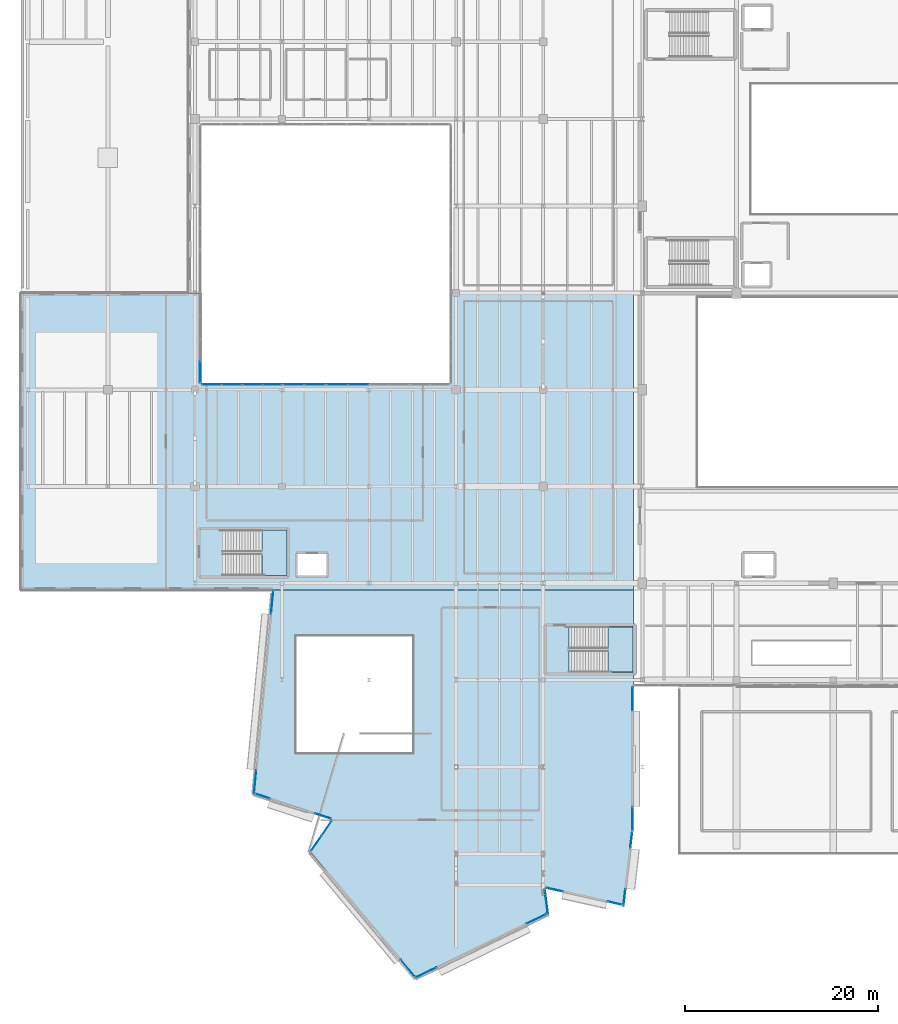
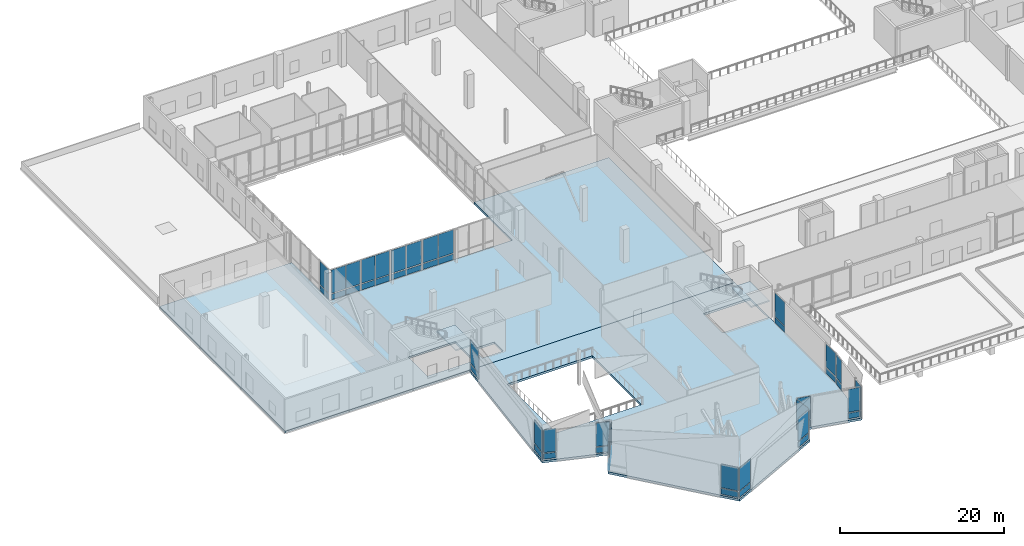
# One storey, part 35 of 60: 50 plates, 4 slabs, 22 elements without a shape of their own.
"""IFC4 building model written with IfcOpenShell, lengths in metres."""

from ifc_helpers import new_model, si_unit, direction, frame, origin, origin_2d, place, context, subcontext, project, spatial, polyline, rectangle, outline, extrude, material, layer, layer_set, type_object, element, aggregate, save


model = new_model("IFC4")

# Units and contexts
model_context = context("Model", 3, precision=1e-05, world=origin(), true_north=direction((0.0, 1.0)))
body_context = subcontext(model_context, "Body", "Model", "MODEL_VIEW")
ifc_project = project(units=[si_unit("LENGTHUNIT", "METRE"), si_unit("AREAUNIT", "SQUARE_METRE"), si_unit("VOLUMEUNIT", "CUBIC_METRE"), si_unit("PLANEANGLEUNIT", "RADIAN"), si_unit("MASSUNIT", "GRAM", prefix="KILO")], contexts=[model_context])

# Site, building, storey
site_placement = place(None, origin())
site = spatial("IfcSite", under=ifc_project, at=site_placement, CompositionType="ELEMENT")
building_placement = place(site_placement, origin())
building = spatial("IfcBuilding", under=site, at=building_placement, Name="Trimount Lyric Opera House", CompositionType="ELEMENT")
storey_placement = place(building_placement, frame((0.0, 0.0, 15.0)))
storey = spatial("IfcBuildingStorey", under=building, at=storey_placement, Name="L03", CompositionType="ELEMENT", Elevation=15.0)

# Curtain wall, plate
ifc_material_1 = material(Name="Thermally Broken Aluminium and Low-E Glass", Category="aluminium")
curtain_wall_type_1 = type_object("IfcCurtainWallType", Name="CW-03", PredefinedType="NOTDEFINED", material=ifc_material_1)
curtain_wall_1_placement = place(storey_placement, origin())
curtain_wall_1 = element("IfcCurtainWall", 1, at=curtain_wall_1_placement, inside=storey, type_object=curtain_wall_type_1, Name="L03 curtain wall 294", PredefinedType="NOTDEFINED")
ifc_material_2 = material(Name="Triple Low-E Acoustic Laminated Glass", Category="glass")
ifc_layer_1 = layer(ifc_material_2, 0.035888671875)
ifc_layer_set_1 = layer_set([ifc_layer_1], Name="CWP-01")
plate_type_1 = type_object("IfcPlateType", Name="CWP-01", PredefinedType="CURTAIN_PANEL", material=ifc_layer_set_1)
plate_1_placement = place(storey_placement, frame((18.5400390625, 75.840087890625, 0.159912109375), z_axis=(0.0, 0.0, 1.0), x_axis=(0.0, -1.0, 0.0)))
plate_1 = element("IfcPlate", 2, at=plate_1_placement, type_object=plate_type_1, Name="CW-03 panel 2.1", PredefinedType="CURTAIN_PANEL", context=body_context, shape_type="SweptSolid", body=[
    extrude(rectangle(XDim=2.179931640625, YDim=0.035888671875, at=origin_2d()), origin(), (0.0, 0.0, 1.0), 0.81005859375),
])

# Curtain wall, plates
curtain_wall_2_placement = place(storey_placement, origin())
curtain_wall_2 = element("IfcCurtainWall", 3, at=curtain_wall_2_placement, inside=storey, type_object=curtain_wall_type_1, Name="L03 curtain wall 295", PredefinedType="NOTDEFINED")
plate_2_placement = place(storey_placement, frame((19.736328125, 74.5400390625, 0.13525390625), z_axis=(0.0, 0.0, 1.0), x_axis=(1.0, 0.0, 0.0)))
plate_2 = element("IfcPlate", 4, at=plate_2_placement, type_object=plate_type_1, Name="CW-03 panel 1.1", PredefinedType="CURTAIN_PANEL", context=body_context, shape_type="SweptSolid", body=[
    extrude(rectangle(XDim=1.982421875, YDim=0.035888671875, at=origin_2d()), origin(), (0.0, 0.0, 1.0), 0.847412109375),
])
plate_3_placement = place(storey_placement, frame((21.78369140625, 74.5400390625, 0.13525390625), z_axis=(0.0, 0.0, 1.0), x_axis=(1.0, 0.0, 0.0)))
plate_3 = element("IfcPlate", 5, at=plate_3_placement, type_object=plate_type_1, Name="CW-03 panel 2.1", PredefinedType="CURTAIN_PANEL", context=body_context, shape_type="SweptSolid", body=[
    extrude(rectangle(XDim=1.982421875, YDim=0.035888671875, at=origin_2d()), origin(), (0.0, 0.0, 1.0), 0.847412109375),
])

curtain_wall_3_placement = place(storey_placement, origin())
curtain_wall_3 = element("IfcCurtainWall", 6, at=curtain_wall_3_placement, inside=storey, type_object=curtain_wall_type_1, Name="L03 curtain wall 296", PredefinedType="NOTDEFINED")
plate_4_placement = place(storey_placement, frame((23.96240234375, 74.5400390625, 0.114990234375), z_axis=(0.0, 0.0, 1.0), x_axis=(1.0, 0.0, 0.0)))
plate_4 = element("IfcPlate", 7, at=plate_4_placement, type_object=plate_type_1, Name="CW-03 panel 1.1", PredefinedType="CURTAIN_PANEL", context=body_context, shape_type="SweptSolid", body=[
    extrude(rectangle(XDim=1.945068359375, YDim=0.035888671875, at=origin_2d()), origin(), (0.0, 0.0, 1.0), 0.87744140625),
])
plate_5_placement = place(storey_placement, frame((25.967529296875, 74.5400390625, 0.114990234375), z_axis=(0.0, 0.0, 1.0), x_axis=(1.0, 0.0, 0.0)))
plate_5 = element("IfcPlate", 8, at=plate_5_placement, type_object=plate_type_1, Name="CW-03 panel 2.1", PredefinedType="CURTAIN_PANEL", context=body_context, shape_type="SweptSolid", body=[
    extrude(rectangle(XDim=1.945068359375, YDim=0.035888671875, at=origin_2d()), origin(), (0.0, 0.0, 1.0), 0.87744140625),
])

curtain_wall_4_placement = place(storey_placement, origin())
curtain_wall_4 = element("IfcCurtainWall", 9, at=curtain_wall_4_placement, inside=storey, type_object=curtain_wall_type_1, Name="L03 curtain wall 297", PredefinedType="NOTDEFINED")
plate_6_placement = place(storey_placement, frame((28.2099609375, 74.5400390625, 0.159912109375), z_axis=(0.0, 0.0, 1.0), x_axis=(1.0, 0.0, 0.0)))
plate_6 = element("IfcPlate", 10, at=plate_6_placement, type_object=plate_type_1, Name="CW-03 panel 1.1", PredefinedType="CURTAIN_PANEL", context=body_context, shape_type="SweptSolid", body=[
    extrude(rectangle(XDim=2.10009765625, YDim=0.035888671875, at=origin_2d()), origin(), (0.0, 0.0, 1.0), 0.81005859375),
])
plate_7_placement = place(storey_placement, frame((30.3798828125, 74.5400390625, 0.159912109375), z_axis=(0.0, 0.0, 1.0), x_axis=(1.0, 0.0, 0.0)))
plate_7 = element("IfcPlate", 11, at=plate_7_placement, type_object=plate_type_1, Name="CW-03 panel 2.1", PredefinedType="CURTAIN_PANEL", context=body_context, shape_type="SweptSolid", body=[
    extrude(rectangle(XDim=2.10009765625, YDim=0.035888671875, at=origin_2d()), origin(), (0.0, 0.0, 1.0), 0.81005859375),
])

curtain_wall_5_placement = place(storey_placement, origin())
curtain_wall_5 = element("IfcCurtainWall", 12, at=curtain_wall_5_placement, inside=storey, type_object=curtain_wall_type_1, Name="L03 curtain wall 298", PredefinedType="NOTDEFINED")
plate_8_placement = place(storey_placement, frame((32.708740234375, 74.5400390625, 0.13525390625), z_axis=(0.0, 0.0, 1.0), x_axis=(1.0, 0.0, 0.0)))
plate_8 = element("IfcPlate", 13, at=plate_8_placement, type_object=plate_type_1, Name="CW-03 panel 1.1", PredefinedType="CURTAIN_PANEL", context=body_context, shape_type="SweptSolid", body=[
    extrude(rectangle(XDim=2.107421875, YDim=0.035888671875, at=origin_2d()), origin(), (0.0, 0.0, 1.0), 0.847412109375),
])
plate_9_placement = place(storey_placement, frame((34.88134765625, 74.5400390625, 0.13525390625), z_axis=(0.0, 0.0, 1.0), x_axis=(1.0, 0.0, 0.0)))
plate_9 = element("IfcPlate", 14, at=plate_9_placement, type_object=plate_type_1, Name="CW-03 panel 2.1", PredefinedType="CURTAIN_PANEL", context=body_context, shape_type="SweptSolid", body=[
    extrude(rectangle(XDim=2.107421875, YDim=0.035888671875, at=origin_2d()), origin(), (0.0, 0.0, 1.0), 0.847412109375),
])

ifc_material_3 = material(Name="Thermally Broken Aluminium and Low-E Glass", Category="aluminium")
curtain_wall_type_2 = type_object("IfcCurtainWallType", Name="CW-02", PredefinedType="NOTDEFINED", material=ifc_material_3)
curtain_wall_6_placement = place(storey_placement, origin())
curtain_wall_6 = element("IfcCurtainWall", 15, at=curtain_wall_6_placement, inside=storey, type_object=curtain_wall_type_2, Name="L03 crystal fold glazed slit 245", PredefinedType="NOTDEFINED")
ifc_material_4 = material(Name="Ceramic-Fritted Starphire Laminated Glass", Category="glass")
ifc_layer_2 = layer(ifc_material_4, 0.031982421875)
ifc_layer_set_2 = layer_set([ifc_layer_2], Name="CWP-02")
plate_type_2 = type_object("IfcPlateType", Name="CWP-02", PredefinedType="CURTAIN_PANEL", material=ifc_layer_set_2)
plate_10_placement = place(storey_placement, frame((24.22900390625, 33.448974609375, 0.114990234375), z_axis=(0.0, 0.0, 1.0), x_axis=(0.094100052983, 0.9955627454, 0.0)))
plate_10 = element("IfcPlate", 16, at=plate_10_placement, type_object=plate_type_2, Name="CW-02 panel 1.1", PredefinedType="CURTAIN_PANEL", context=body_context, shape_type="SweptSolid", body=[
    extrude(rectangle(XDim=2.4091796875, YDim=0.031982421875, at=origin_2d()), origin(), (0.0, 0.0, 1.0), 0.87744140625),
])
plate_11_placement = place(storey_placement, frame((24.22900390625, 33.448974609375, 1.107421875), z_axis=(0.0, 0.0, 1.0), x_axis=(0.094100052983, 0.9955627454, 0.0)))
plate_11 = element("IfcPlate", 17, at=plate_11_placement, type_object=plate_type_2, Name="CW-02 panel 1.2", PredefinedType="CURTAIN_PANEL", context=body_context, shape_type="SweptSolid", body=[
    extrude(rectangle(XDim=2.4091796875, YDim=0.031982421875, at=origin_2d()), origin(), (0.0, 0.0, 1.0), 3.49755859375),
])
aggregate(curtain_wall_6, [plate_10, plate_11])

curtain_wall_7_placement = place(storey_placement, origin())
curtain_wall_7 = element("IfcCurtainWall", 18, at=curtain_wall_7_placement, inside=storey, type_object=curtain_wall_type_2, Name="L03 crystal fold glazed slit 246", PredefinedType="NOTDEFINED")
plate_12_placement = place(storey_placement, frame((25.990478515625, 52.050537109375, 0.159912109375), z_axis=(0.0, 0.0, 1.0), x_axis=(0.094454731514, 0.995529157632, 0.0)))
plate_12 = element("IfcPlate", 19, at=plate_12_placement, type_object=plate_type_2, Name="CW-02 panel 1.1", PredefinedType="CURTAIN_PANEL", context=body_context, shape_type="SweptSolid", body=[
    extrude(rectangle(XDim=2.390380859375, YDim=0.031982421875, at=origin_2d()), origin(), (0.0, 0.0, 1.0), 0.81005859375),
])
plate_13_placement = place(storey_placement, frame((25.990478515625, 52.050537109375, 1.1298828125), z_axis=(0.0, 0.0, 1.0), x_axis=(0.094454731514, 0.995529157632, 0.0)))
plate_13 = element("IfcPlate", 20, at=plate_13_placement, type_object=plate_type_2, Name="CW-02 panel 1.2", PredefinedType="CURTAIN_PANEL", context=body_context, shape_type="SweptSolid", body=[
    extrude(rectangle(XDim=2.390380859375, YDim=0.031982421875, at=origin_2d()), origin(), (0.0, 0.0, 1.0), 3.429931640625),
])
aggregate(curtain_wall_7, [plate_12, plate_13])

curtain_wall_8_placement = place(storey_placement, origin())
curtain_wall_8 = element("IfcCurtainWall", 21, at=curtain_wall_8_placement, inside=storey, type_object=curtain_wall_type_2, Name="L03 crystal fold glazed slit 263", PredefinedType="NOTDEFINED")
plate_14_placement = place(storey_placement, frame((63.2099609375, 42.054931640625, 0.114990234375), z_axis=(0.0, 0.0, 1.0), x_axis=(0.0, -1.0, 0.0)))
plate_14 = element("IfcPlate", 22, at=plate_14_placement, type_object=plate_type_2, Name="CW-02 panel 1.1", PredefinedType="CURTAIN_PANEL", context=body_context, shape_type="SweptSolid", body=[
    extrude(rectangle(XDim=2.409912109375, YDim=0.031982421875, at=origin_2d()), origin(), (0.0, 0.0, 1.0), 0.87744140625),
])
plate_15_placement = place(storey_placement, frame((63.2099609375, 42.054931640625, 1.107421875), z_axis=(0.0, 0.0, 1.0), x_axis=(0.0, -1.0, 0.0)))
plate_15 = element("IfcPlate", 23, at=plate_15_placement, type_object=plate_type_2, Name="CW-02 panel 1.2", PredefinedType="CURTAIN_PANEL", context=body_context, shape_type="SweptSolid", body=[
    extrude(rectangle(XDim=2.409912109375, YDim=0.031982421875, at=origin_2d()), origin(), (0.0, 0.0, 1.0), 3.49755859375),
])
aggregate(curtain_wall_8, [plate_14, plate_15])

curtain_wall_9_placement = place(storey_placement, origin())
curtain_wall_9 = element("IfcCurtainWall", 24, at=curtain_wall_9_placement, inside=storey, type_object=curtain_wall_type_2, Name="L03 crystal fold glazed slit 264", PredefinedType="NOTDEFINED")
plate_16_placement = place(storey_placement, frame((63.2099609375, 29.634033203125, 0.159912109375), z_axis=(0.0, 0.0, 1.0), x_axis=(0.0, -1.0, 0.0)))
plate_16 = element("IfcPlate", 25, at=plate_16_placement, type_object=plate_type_2, Name="CW-02 panel 1.1", PredefinedType="CURTAIN_PANEL", context=body_context, shape_type="SweptSolid", body=[
    extrude(rectangle(XDim=2.389892578125, YDim=0.031982421875, at=origin_2d()), origin(), (0.0, 0.0, 1.0), 0.81005859375),
])
plate_17_placement = place(storey_placement, frame((63.2099609375, 29.634033203125, 1.1298828125), z_axis=(0.0, 0.0, 1.0), x_axis=(0.0, -1.0, 0.0)))
plate_17 = element("IfcPlate", 26, at=plate_17_placement, type_object=plate_type_2, Name="CW-02 panel 1.2", PredefinedType="CURTAIN_PANEL", context=body_context, shape_type="SweptSolid", body=[
    extrude(rectangle(XDim=2.389892578125, YDim=0.031982421875, at=origin_2d()), origin(), (0.0, 0.0, 1.0), 3.429931640625),
])
aggregate(curtain_wall_9, [plate_16, plate_17])

curtain_wall_10_placement = place(storey_placement, origin())
curtain_wall_10 = element("IfcCurtainWall", 27, at=curtain_wall_10_placement, inside=storey, type_object=curtain_wall_type_2, Name="L03 crystal fold glazed slit 265", PredefinedType="NOTDEFINED")
plate_18_placement = place(storey_placement, frame((63.097412109375, 27.422607421875, 0.13525390625), z_axis=(0.0, 0.0, 1.0), x_axis=(-0.117546747578, -0.993067350251, 0.0)))
plate_18 = element("IfcPlate", 28, at=plate_18_placement, type_object=plate_type_2, Name="CW-02 panel 1.1", PredefinedType="CURTAIN_PANEL", context=body_context, shape_type="SweptSolid", body=[
    extrude(rectangle(XDim=1.596923828125, YDim=0.031982421875, at=origin_2d()), origin(), (0.0, 0.0, 1.0), 0.847412109375),
])
plate_19_placement = place(storey_placement, frame((63.097412109375, 27.422607421875, 1.11767578125), z_axis=(0.0, 0.0, 1.0), x_axis=(-0.117546747578, -0.993067350251, 0.0)))
plate_19 = element("IfcPlate", 29, at=plate_19_placement, type_object=plate_type_2, Name="CW-02 panel 1.2", PredefinedType="CURTAIN_PANEL", context=body_context, shape_type="SweptSolid", body=[
    extrude(rectangle(XDim=1.596923828125, YDim=0.031982421875, at=origin_2d()), origin(), (0.0, 0.0, 1.0), 3.467529296875),
])
aggregate(curtain_wall_10, [plate_18, plate_19])

curtain_wall_11_placement = place(storey_placement, origin())
curtain_wall_11 = element("IfcCurtainWall", 30, at=curtain_wall_11_placement, inside=storey, type_object=curtain_wall_type_2, Name="L03 crystal fold glazed slit 266", PredefinedType="NOTDEFINED")
plate_20_placement = place(storey_placement, frame((62.3984375, 21.521484375, 0.114990234375), z_axis=(0.0, 0.0, 1.0), x_axis=(-0.117507147991, -0.993072036748, 0.0)))
plate_20 = element("IfcPlate", 31, at=plate_20_placement, type_object=plate_type_2, Name="CW-02 panel 1.1", PredefinedType="CURTAIN_PANEL", context=body_context, shape_type="SweptSolid", body=[
    extrude(rectangle(XDim=1.709716796875, YDim=0.031982421875, at=origin_2d()), origin(), (0.0, 0.0, 1.0), 0.87744140625),
])
plate_21_placement = place(storey_placement, frame((62.3984375, 21.521484375, 1.107421875), z_axis=(0.0, 0.0, 1.0), x_axis=(-0.117507147991, -0.993072036748, 0.0)))
plate_21 = element("IfcPlate", 32, at=plate_21_placement, type_object=plate_type_2, Name="CW-02 panel 1.2", PredefinedType="CURTAIN_PANEL", context=body_context, shape_type="SweptSolid", body=[
    extrude(rectangle(XDim=1.709716796875, YDim=0.031982421875, at=origin_2d()), origin(), (0.0, 0.0, 1.0), 3.49755859375),
])
aggregate(curtain_wall_11, [plate_20, plate_21])

curtain_wall_12_placement = place(storey_placement, origin())
curtain_wall_12 = element("IfcCurtainWall", 33, at=curtain_wall_12_placement, inside=storey, type_object=curtain_wall_type_2, Name="L03 crystal fold glazed slit 267", PredefinedType="NOTDEFINED")
plate_22_placement = place(storey_placement, frame((61.427490234375, 20.930419921875, 0.159912109375), z_axis=(0.0, 0.0, 1.0), x_axis=(-0.97590996107, 0.218173664509, 0.0)))
plate_22 = element("IfcPlate", 34, at=plate_22_placement, type_object=plate_type_2, Name="CW-02 panel 1.1", PredefinedType="CURTAIN_PANEL", context=body_context, shape_type="SweptSolid", body=[
    extrude(rectangle(XDim=1.47802734375, YDim=0.031982421875, at=origin_2d()), origin(), (0.0, 0.0, 1.0), 0.81005859375),
])
plate_23_placement = place(storey_placement, frame((61.427490234375, 20.930419921875, 1.1298828125), z_axis=(0.0, 0.0, 1.0), x_axis=(-0.97590996107, 0.218173664509, 0.0)))
plate_23 = element("IfcPlate", 35, at=plate_23_placement, type_object=plate_type_2, Name="CW-02 panel 1.2", PredefinedType="CURTAIN_PANEL", context=body_context, shape_type="SweptSolid", body=[
    extrude(rectangle(XDim=1.47802734375, YDim=0.031982421875, at=origin_2d()), origin(), (0.0, 0.0, 1.0), 3.409912109375),
])
aggregate(curtain_wall_12, [plate_22, plate_23])

curtain_wall_13_placement = place(storey_placement, origin())
curtain_wall_13 = element("IfcCurtainWall", 36, at=curtain_wall_13_placement, inside=storey, type_object=curtain_wall_type_2, Name="L03 crystal fold glazed slit 268", PredefinedType="NOTDEFINED")
plate_24_placement = place(storey_placement, frame((55.180908203125, 22.327392578125, 0.13525390625), z_axis=(0.0, 0.0, 1.0), x_axis=(-0.975942150303, 0.218029629321, 0.0)))
plate_24 = element("IfcPlate", 37, at=plate_24_placement, type_object=plate_type_2, Name="CW-02 panel 1.1", PredefinedType="CURTAIN_PANEL", context=body_context, shape_type="SweptSolid", body=[
    extrude(rectangle(XDim=1.699951171875, YDim=0.031982421875, at=origin_2d()), origin(), (0.0, 0.0, 1.0), 0.847412109375),
])
plate_25_placement = place(storey_placement, frame((55.180908203125, 22.327392578125, 1.11767578125), z_axis=(0.0, 0.0, 1.0), x_axis=(-0.975942150303, 0.218029629321, 0.0)))
plate_25 = element("IfcPlate", 38, at=plate_25_placement, type_object=plate_type_2, Name="CW-02 panel 1.2", PredefinedType="CURTAIN_PANEL", context=body_context, shape_type="SweptSolid", body=[
    extrude(rectangle(XDim=1.699951171875, YDim=0.031982421875, at=origin_2d()), origin(), (0.0, 0.0, 1.0), 3.447509765625),
])
aggregate(curtain_wall_13, [plate_24, plate_25])

curtain_wall_14_placement = place(storey_placement, origin())
curtain_wall_14 = element("IfcCurtainWall", 39, at=curtain_wall_14_placement, inside=storey, type_object=curtain_wall_type_2, Name="L03 crystal fold glazed slit 269", PredefinedType="NOTDEFINED")
plate_26_placement = place(storey_placement, frame((54.322998046875, 21.095947265625, 0.114990234375), z_axis=(0.0, 0.0, 1.0), x_axis=(0.127202516616, -0.991876766421, 0.0)))
plate_26 = element("IfcPlate", 40, at=plate_26_placement, type_object=plate_type_2, Name="CW-02 panel 1.1", PredefinedType="CURTAIN_PANEL", context=body_context, shape_type="SweptSolid", body=[
    extrude(rectangle(XDim=2.521484375, YDim=0.031982421875, at=origin_2d()), origin(), (0.0, 0.0, 1.0), 0.87744140625),
])
plate_27_placement = place(storey_placement, frame((54.322998046875, 21.095947265625, 1.107421875), z_axis=(0.0, 0.0, 1.0), x_axis=(0.127202516616, -0.991876766421, 0.0)))
plate_27 = element("IfcPlate", 41, at=plate_27_placement, type_object=plate_type_2, Name="CW-02 panel 1.2", PredefinedType="CURTAIN_PANEL", context=body_context, shape_type="SweptSolid", body=[
    extrude(rectangle(XDim=2.521484375, YDim=0.031982421875, at=origin_2d()), origin(), (0.0, 0.0, 1.0), 3.4775390625),
])
aggregate(curtain_wall_14, [plate_26, plate_27])

curtain_wall_15_placement = place(storey_placement, origin())
curtain_wall_15 = element("IfcCurtainWall", 42, at=curtain_wall_15_placement, inside=storey, type_object=curtain_wall_type_2, Name="L03 crystal fold glazed slit 270", PredefinedType="NOTDEFINED")
plate_28_placement = place(storey_placement, frame((53.3359375, 19.30859375, 0.159912109375), z_axis=(0.0, 0.0, 1.0), x_axis=(-0.899627246543, -0.436658696555, 0.0)))
plate_28 = element("IfcPlate", 43, at=plate_28_placement, type_object=plate_type_2, Name="CW-02 panel 1.1", PredefinedType="CURTAIN_PANEL", context=body_context, shape_type="SweptSolid", body=[
    extrude(rectangle(XDim=2.216552734375, YDim=0.031982421875, at=origin_2d()), origin(), (0.0, 0.0, 1.0), 0.81005859375),
])
plate_29_placement = place(storey_placement, frame((53.3359375, 19.30859375, 1.1298828125), z_axis=(0.0, 0.0, 1.0), x_axis=(-0.899627246543, -0.436658696555, 0.0)))
plate_29 = element("IfcPlate", 44, at=plate_29_placement, type_object=plate_type_2, Name="CW-02 panel 1.2", PredefinedType="CURTAIN_PANEL", context=body_context, shape_type="SweptSolid", body=[
    extrude(rectangle(XDim=2.216552734375, YDim=0.031982421875, at=origin_2d()), origin(), (0.0, 0.0, 1.0), 3.409912109375),
])
aggregate(curtain_wall_15, [plate_28, plate_29])

curtain_wall_16_placement = place(storey_placement, origin())
curtain_wall_16 = element("IfcCurtainWall", 45, at=curtain_wall_16_placement, inside=storey, type_object=curtain_wall_type_2, Name="L03 crystal fold glazed slit 271", PredefinedType="NOTDEFINED")
plate_30_placement = place(storey_placement, frame((41.889892578125, 13.75146484375, 0.13525390625), z_axis=(0.0, 0.0, 1.0), x_axis=(-0.899583592038, -0.436748624424, 0.0)))
plate_30 = element("IfcPlate", 46, at=plate_30_placement, type_object=plate_type_2, Name="CW-02 panel 1.1", PredefinedType="CURTAIN_PANEL", context=body_context, shape_type="SweptSolid", body=[
    extrude(rectangle(XDim=2.400146484375, YDim=0.031982421875, at=origin_2d()), origin(), (0.0, 0.0, 1.0), 0.847412109375),
])
plate_31_placement = place(storey_placement, frame((41.889892578125, 13.75146484375, 1.11767578125), z_axis=(0.0, 0.0, 1.0), x_axis=(-0.899583592038, -0.436748624424, 0.0)))
plate_31 = element("IfcPlate", 47, at=plate_31_placement, type_object=plate_type_2, Name="CW-02 panel 1.2", PredefinedType="CURTAIN_PANEL", context=body_context, shape_type="SweptSolid", body=[
    extrude(rectangle(XDim=2.400146484375, YDim=0.031982421875, at=origin_2d()), origin(), (0.0, 0.0, 1.0), 3.447509765625),
])
aggregate(curtain_wall_16, [plate_30, plate_31])

curtain_wall_17_placement = place(storey_placement, origin())
curtain_wall_17 = element("IfcCurtainWall", 48, at=curtain_wall_17_placement, inside=storey, type_object=curtain_wall_type_2, Name="L03 crystal fold glazed slit 272", PredefinedType="NOTDEFINED")
plate_32_placement = place(storey_placement, frame((40.012939453125, 14.20751953125, 0.114990234375), z_axis=(0.0, 0.0, 1.0), x_axis=(-0.642982627222, 0.765880761666, 0.0)))
plate_32 = element("IfcPlate", 49, at=plate_32_placement, type_object=plate_type_2, Name="CW-02 panel 1.1", PredefinedType="CURTAIN_PANEL", context=body_context, shape_type="SweptSolid", body=[
    extrude(rectangle(XDim=2.2314453125, YDim=0.031982421875, at=origin_2d()), origin(), (0.0, 0.0, 1.0), 0.87744140625),
])
plate_33_placement = place(storey_placement, frame((40.012939453125, 14.20751953125, 1.107421875), z_axis=(0.0, 0.0, 1.0), x_axis=(-0.642982627222, 0.765880761666, 0.0)))
plate_33 = element("IfcPlate", 50, at=plate_33_placement, type_object=plate_type_2, Name="CW-02 panel 1.2", PredefinedType="CURTAIN_PANEL", context=body_context, shape_type="SweptSolid", body=[
    extrude(rectangle(XDim=2.2314453125, YDim=0.031982421875, at=origin_2d()), origin(), (0.0, 0.0, 1.0), 3.49755859375),
])
aggregate(curtain_wall_17, [plate_32, plate_33])

curtain_wall_18_placement = place(storey_placement, origin())
curtain_wall_18 = element("IfcCurtainWall", 51, at=curtain_wall_18_placement, inside=storey, type_object=curtain_wall_type_2, Name="L03 crystal fold glazed slit 274", PredefinedType="NOTDEFINED")
plate_34_placement = place(storey_placement, frame((30.546142578125, 27.096923828125, 0.13525390625), z_axis=(0.0, 0.0, 1.0), x_axis=(0.563961646165, 0.825800981869, 0.0)))
plate_34 = element("IfcPlate", 52, at=plate_34_placement, type_object=plate_type_2, Name="CW-02 panel 1.1", PredefinedType="CURTAIN_PANEL", context=body_context, shape_type="SweptSolid", body=[
    extrude(rectangle(XDim=1.8388671875, YDim=0.031982421875, at=origin_2d()), origin(), (0.0, 0.0, 1.0), 0.847412109375),
])
plate_35_placement = place(storey_placement, frame((30.546142578125, 27.096923828125, 1.11767578125), z_axis=(0.0, 0.0, 1.0), x_axis=(0.563961646165, 0.825800981869, 0.0)))
plate_35 = element("IfcPlate", 53, at=plate_35_placement, type_object=plate_type_2, Name="CW-02 panel 1.2", PredefinedType="CURTAIN_PANEL", context=body_context, shape_type="SweptSolid", body=[
    extrude(rectangle(XDim=1.8388671875, YDim=0.031982421875, at=origin_2d()), origin(), (0.0, 0.0, 1.0), 3.467529296875),
])
plate_36_placement = place(storey_placement, frame((31.619873046875, 28.669189453125, 0.13525390625), z_axis=(0.0, 0.0, 1.0), x_axis=(0.563961646165, 0.825800981869, 0.0)))
plate_36 = element("IfcPlate", 54, at=plate_36_placement, type_object=plate_type_2, Name="CW-02 panel 2.1", PredefinedType="CURTAIN_PANEL", context=body_context, shape_type="SweptSolid", body=[
    extrude(rectangle(XDim=1.8388671875, YDim=0.031982421875, at=origin_2d()), origin(), (0.0, 0.0, 1.0), 0.847412109375),
])
plate_37_placement = place(storey_placement, frame((31.619873046875, 28.669189453125, 1.11767578125), z_axis=(0.0, 0.0, 1.0), x_axis=(0.563961646165, 0.825800981869, 0.0)))
plate_37 = element("IfcPlate", 55, at=plate_37_placement, type_object=plate_type_2, Name="CW-02 panel 2.2", PredefinedType="CURTAIN_PANEL", context=body_context, shape_type="SweptSolid", body=[
    extrude(rectangle(XDim=1.8388671875, YDim=0.031982421875, at=origin_2d()), origin(), (0.0, 0.0, 1.0), 3.467529296875),
])
aggregate(curtain_wall_18, [plate_34, plate_35, plate_36, plate_37])

curtain_wall_19_placement = place(storey_placement, origin())
curtain_wall_19 = element("IfcCurtainWall", 56, at=curtain_wall_19_placement, inside=storey, type_object=curtain_wall_type_2, Name="L03 crystal fold glazed slit 275", PredefinedType="NOTDEFINED")
plate_38_placement = place(storey_placement, frame((31.24853515625, 29.93408203125, 0.114990234375), z_axis=(0.0, 0.0, 1.0), x_axis=(-0.949932190136, 0.31245613155, 0.0)))
plate_38 = element("IfcPlate", 57, at=plate_38_placement, type_object=plate_type_2, Name="CW-02 panel 1.1", PredefinedType="CURTAIN_PANEL", context=body_context, shape_type="SweptSolid", body=[
    extrude(rectangle(XDim=1.710693359375, YDim=0.031982421875, at=origin_2d()), origin(), (0.0, 0.0, 1.0), 0.87744140625),
])
plate_39_placement = place(storey_placement, frame((31.24853515625, 29.93408203125, 1.107421875), z_axis=(0.0, 0.0, 1.0), x_axis=(-0.949932190136, 0.31245613155, 0.0)))
plate_39 = element("IfcPlate", 58, at=plate_39_placement, type_object=plate_type_2, Name="CW-02 panel 1.2", PredefinedType="CURTAIN_PANEL", context=body_context, shape_type="SweptSolid", body=[
    extrude(rectangle(XDim=1.710693359375, YDim=0.031982421875, at=origin_2d()), origin(), (0.0, 0.0, 1.0), 3.49755859375),
])
aggregate(curtain_wall_19, [plate_38, plate_39])

curtain_wall_20_placement = place(storey_placement, origin())
curtain_wall_20 = element("IfcCurtainWall", 59, at=curtain_wall_20_placement, inside=storey, type_object=curtain_wall_type_2, Name="L03 crystal fold glazed slit 276", PredefinedType="NOTDEFINED")
plate_40_placement = place(storey_placement, frame((24.989501953125, 31.990478515625, 0.159912109375), z_axis=(0.0, 0.0, 1.0), x_axis=(-0.95000863063, 0.312223640567, 0.0)))
plate_40 = element("IfcPlate", 60, at=plate_40_placement, type_object=plate_type_2, Name="CW-02 panel 1.1", PredefinedType="CURTAIN_PANEL", context=body_context, shape_type="SweptSolid", body=[
    extrude(rectangle(XDim=1.509521484375, YDim=0.031982421875, at=origin_2d()), origin(), (0.0, 0.0, 1.0), 0.81005859375),
])
plate_41_placement = place(storey_placement, frame((24.989501953125, 31.990478515625, 1.1298828125), z_axis=(0.0, 0.0, 1.0), x_axis=(-0.95000863063, 0.312223640567, 0.0)))
plate_41 = element("IfcPlate", 61, at=plate_41_placement, type_object=plate_type_2, Name="CW-02 panel 1.2", PredefinedType="CURTAIN_PANEL", context=body_context, shape_type="SweptSolid", body=[
    extrude(rectangle(XDim=1.509521484375, YDim=0.031982421875, at=origin_2d()), origin(), (0.0, 0.0, 1.0), 3.429931640625),
])
aggregate(curtain_wall_20, [plate_40, plate_41])

# Plate
ifc_material_5 = material(Name="Insulated Aluminium Shadow-Box Spandrel Panel", Category="aluminium")
ifc_layer_3 = layer(ifc_material_5, 0.0419921875)
ifc_layer_set_3 = layer_set([ifc_layer_3], Name="CWP-04")
plate_type_3 = type_object("IfcPlateType", Name="CWP-04", PredefinedType="CURTAIN_PANEL", material=ifc_layer_set_3)
plate_42_placement = place(storey_placement, frame((18.5400390625, 75.840087890625, 1.1298828125), z_axis=(0.0, 0.0, 1.0), x_axis=(0.0, -1.0, 0.0)))
plate_42 = element("IfcPlate", 62, at=plate_42_placement, type_object=plate_type_3, Name="CW-03 panel 2.2", PredefinedType="CURTAIN_PANEL", context=body_context, shape_type="SweptSolid", body=[
    extrude(rectangle(XDim=2.179931640625, YDim=0.035888671875, at=origin_2d()), origin(), (0.0, 0.0, 1.0), 3.429931640625),
])

aggregate(curtain_wall_1, [plate_1, plate_42])

plate_43_placement = place(storey_placement, frame((19.736328125, 74.5400390625, 1.11767578125), z_axis=(0.0, 0.0, 1.0), x_axis=(1.0, 0.0, 0.0)))
plate_43 = element("IfcPlate", 63, at=plate_43_placement, type_object=plate_type_3, Name="CW-03 panel 1.2", PredefinedType="CURTAIN_PANEL", context=body_context, shape_type="SweptSolid", body=[
    extrude(rectangle(XDim=1.982421875, YDim=0.035888671875, at=origin_2d()), origin(), (0.0, 0.0, 1.0), 3.467529296875),
])

plate_44_placement = place(storey_placement, frame((21.78369140625, 74.5400390625, 1.11767578125), z_axis=(0.0, 0.0, 1.0), x_axis=(1.0, 0.0, 0.0)))
plate_44 = element("IfcPlate", 64, at=plate_44_placement, type_object=plate_type_3, Name="CW-03 panel 2.2", PredefinedType="CURTAIN_PANEL", context=body_context, shape_type="SweptSolid", body=[
    extrude(rectangle(XDim=1.982421875, YDim=0.035888671875, at=origin_2d()), origin(), (0.0, 0.0, 1.0), 3.467529296875),
])

aggregate(curtain_wall_2, [plate_2, plate_43, plate_3, plate_44])

plate_45_placement = place(storey_placement, frame((23.96240234375, 74.5400390625, 1.107421875), z_axis=(0.0, 0.0, 1.0), x_axis=(1.0, 0.0, 0.0)))
plate_45 = element("IfcPlate", 65, at=plate_45_placement, type_object=plate_type_3, Name="CW-03 panel 1.2", PredefinedType="CURTAIN_PANEL", context=body_context, shape_type="SweptSolid", body=[
    extrude(rectangle(XDim=1.945068359375, YDim=0.035888671875, at=origin_2d()), origin(), (0.0, 0.0, 1.0), 3.49755859375),
])

plate_46_placement = place(storey_placement, frame((25.967529296875, 74.5400390625, 1.107421875), z_axis=(0.0, 0.0, 1.0), x_axis=(1.0, 0.0, 0.0)))
plate_46 = element("IfcPlate", 66, at=plate_46_placement, type_object=plate_type_3, Name="CW-03 panel 2.2", PredefinedType="CURTAIN_PANEL", context=body_context, shape_type="SweptSolid", body=[
    extrude(rectangle(XDim=1.945068359375, YDim=0.035888671875, at=origin_2d()), origin(), (0.0, 0.0, 1.0), 3.49755859375),
])

aggregate(curtain_wall_3, [plate_4, plate_45, plate_5, plate_46])

plate_47_placement = place(storey_placement, frame((28.2099609375, 74.5400390625, 1.1298828125), z_axis=(0.0, 0.0, 1.0), x_axis=(1.0, 0.0, 0.0)))
plate_47 = element("IfcPlate", 67, at=plate_47_placement, type_object=plate_type_3, Name="CW-03 panel 1.2", PredefinedType="CURTAIN_PANEL", context=body_context, shape_type="SweptSolid", body=[
    extrude(rectangle(XDim=2.10009765625, YDim=0.035888671875, at=origin_2d()), origin(), (0.0, 0.0, 1.0), 3.429931640625),
])

plate_48_placement = place(storey_placement, frame((30.3798828125, 74.5400390625, 1.1298828125), z_axis=(0.0, 0.0, 1.0), x_axis=(1.0, 0.0, 0.0)))
plate_48 = element("IfcPlate", 68, at=plate_48_placement, type_object=plate_type_3, Name="CW-03 panel 2.2", PredefinedType="CURTAIN_PANEL", context=body_context, shape_type="SweptSolid", body=[
    extrude(rectangle(XDim=2.10009765625, YDim=0.035888671875, at=origin_2d()), origin(), (0.0, 0.0, 1.0), 3.429931640625),
])

aggregate(curtain_wall_4, [plate_6, plate_47, plate_7, plate_48])

plate_49_placement = place(storey_placement, frame((32.708740234375, 74.5400390625, 1.11767578125), z_axis=(0.0, 0.0, 1.0), x_axis=(1.0, 0.0, 0.0)))
plate_49 = element("IfcPlate", 69, at=plate_49_placement, type_object=plate_type_3, Name="CW-03 panel 1.2", PredefinedType="CURTAIN_PANEL", context=body_context, shape_type="SweptSolid", body=[
    extrude(rectangle(XDim=2.107421875, YDim=0.035888671875, at=origin_2d()), origin(), (0.0, 0.0, 1.0), 3.467529296875),
])

plate_50_placement = place(storey_placement, frame((34.88134765625, 74.5400390625, 1.11767578125), z_axis=(0.0, 0.0, 1.0), x_axis=(1.0, 0.0, 0.0)))
plate_50 = element("IfcPlate", 70, at=plate_50_placement, type_object=plate_type_3, Name="CW-03 panel 2.2", PredefinedType="CURTAIN_PANEL", context=body_context, shape_type="SweptSolid", body=[
    extrude(rectangle(XDim=2.107421875, YDim=0.035888671875, at=origin_2d()), origin(), (0.0, 0.0, 1.0), 3.467529296875),
])

aggregate(curtain_wall_5, [plate_8, plate_49, plate_9, plate_50])

# Slabs
ifc_material_6 = material(Name="Concrete C40/50", Category="concrete")
ifc_layer_4 = layer(ifc_material_6, 0.280029296875)
ifc_layer_set_4 = layer_set([ifc_layer_4], Name="SL-FL280")
slab_type_1 = type_object("IfcSlabType", Name="SL-FL280", PredefinedType="FLOOR", material=ifc_layer_set_4)
slab_1_placement = place(storey_placement, frame((0.0, 0.0, -0.280029296875)))
element("IfcSlab", 71, at=slab_1_placement, inside=storey, type_object=slab_type_1, Name="L03 floor slab L03-WEST-S", PredefinedType="FLOOR", context=body_context, shape_type="SweptSolid", body=[
    extrude(outline(polyline([(0.0, 53.320068359375), (0.0, 84.0), (18.679931640625, 84.0), (18.679931640625, 74.679931640625), (44.320068359375, 74.679931640625), (44.320068359375, 84.0), (63.320068359375, 84.0), (63.320068359375, 53.320068359375), (0.0, 53.320068359375)]), holes=[polyline([(31.60009765625, 57.0), (28.60009765625, 57.0), (28.60009765625, 54.800048828125), (31.60009765625, 54.800048828125), (31.60009765625, 57.0)]), polyline([(27.5, 59.5), (20.89990234375, 59.5), (20.89990234375, 54.800048828125), (27.5, 54.800048828125), (27.5, 59.5)])]), origin(), (0.0, 0.0, 1.0), 0.280029296875),
])
ifc_material_7 = material(Name="Concrete C40/50", Category="concrete")
ifc_layer_5 = layer(ifc_material_7, 0.324951171875)
ifc_layer_set_5 = layer_set([ifc_layer_5], Name="SL-FL325")
slab_type_2 = type_object("IfcSlabType", Name="SL-FL325", PredefinedType="FLOOR", material=ifc_layer_set_5)
slab_2_placement = place(storey_placement, frame((0.0, 0.0, -0.324951171875)))
element("IfcSlab", 72, at=slab_2_placement, inside=storey, type_object=slab_type_2, Name="L03 floor slab L03-CRYSTAL", PredefinedType="FLOOR", context=body_context, shape_type="SweptSolid", body=[
    extrude(outline(polyline([(32.083740234375, 29.5439453125), (24.0, 32.199951171875), (26.0, 53.320068359375), (63.320068359375, 53.320068359375), (63.320068359375, 28.368896484375), (62.39990234375, 20.60009765625), (54.263671875, 22.419921875), (54.60009765625, 19.800048828125), (40.800048828125, 13.10009765625), (29.800048828125, 26.199951171875), (32.083740234375, 29.5439453125)]), holes=[polyline([(56.699951171875, 49.5), (56.699951171875, 44.800048828125), (63.300048828125, 44.800048828125), (63.300048828125, 49.5), (56.699951171875, 49.5)]), polyline([(28.5, 48.5), (28.5, 36.5), (40.5, 36.5), (40.5, 48.5), (28.5, 48.5)])]), origin(), (0.0, 0.0, 1.0), 0.324951171875),
])

# Stair, slab
ifc_material_8 = material(Name="Concrete C40/50", Category="concrete")
stair_type = type_object("IfcStairType", Name="STR-CORE-A", PredefinedType="TWO_QUARTER_TURN_STAIR", material=ifc_material_8)
stair_1_placement = place(storey_placement, origin())
stair_1 = element("IfcStair", 73, at=stair_1_placement, inside=storey, type_object=stair_type, Name="L03 Exit Stair ST-06", PredefinedType="TWO_QUARTER_TURN_STAIR")
ifc_material_9 = material(Name="Concrete C40/50", Category="concrete")
ifc_layer_6 = layer(ifc_material_9, 0.199951171875)
ifc_layer_set_6 = layer_set([ifc_layer_6], Name="SL-LND200")
slab_type_3 = type_object("IfcSlabType", Name="SL-LND200", PredefinedType="LANDING", material=ifc_layer_set_6)
slab_3_placement = place(storey_placement, frame((0.0, 0.0, 2.300048828125)))
slab_3 = element("IfcSlab", 74, at=slab_3_placement, type_object=slab_type_3, Name="ST-06 landing 1", PredefinedType="LANDING", context=body_context, shape_type="SweptSolid", body=[
    extrude(outline(polyline([(24.909912109375, 54.800048828125), (27.5, 54.800048828125), (27.5, 59.5), (24.909912109375, 59.5), (24.909912109375, 54.800048828125)])), origin(), (0.0, 0.0, 1.0), 0.199951171875),
])
aggregate(stair_1, [slab_3])

stair_2_placement = place(storey_placement, origin())
stair_2 = element("IfcStair", 75, at=stair_2_placement, inside=storey, type_object=stair_type, Name="L03 Exit Stair ST-07", PredefinedType="TWO_QUARTER_TURN_STAIR")
slab_4_placement = place(storey_placement, frame((0.0, 0.0, 2.300048828125)))
slab_4 = element("IfcSlab", 76, at=slab_4_placement, type_object=slab_type_3, Name="ST-07 landing 1", PredefinedType="LANDING", context=body_context, shape_type="SweptSolid", body=[
    extrude(outline(polyline([(60.7099609375, 44.800048828125), (63.300048828125, 44.800048828125), (63.300048828125, 49.5), (60.7099609375, 49.5), (60.7099609375, 44.800048828125)])), origin(), (0.0, 0.0, 1.0), 0.199951171875),
])
aggregate(stair_2, [slab_4])

save(model, "model.ifc")
